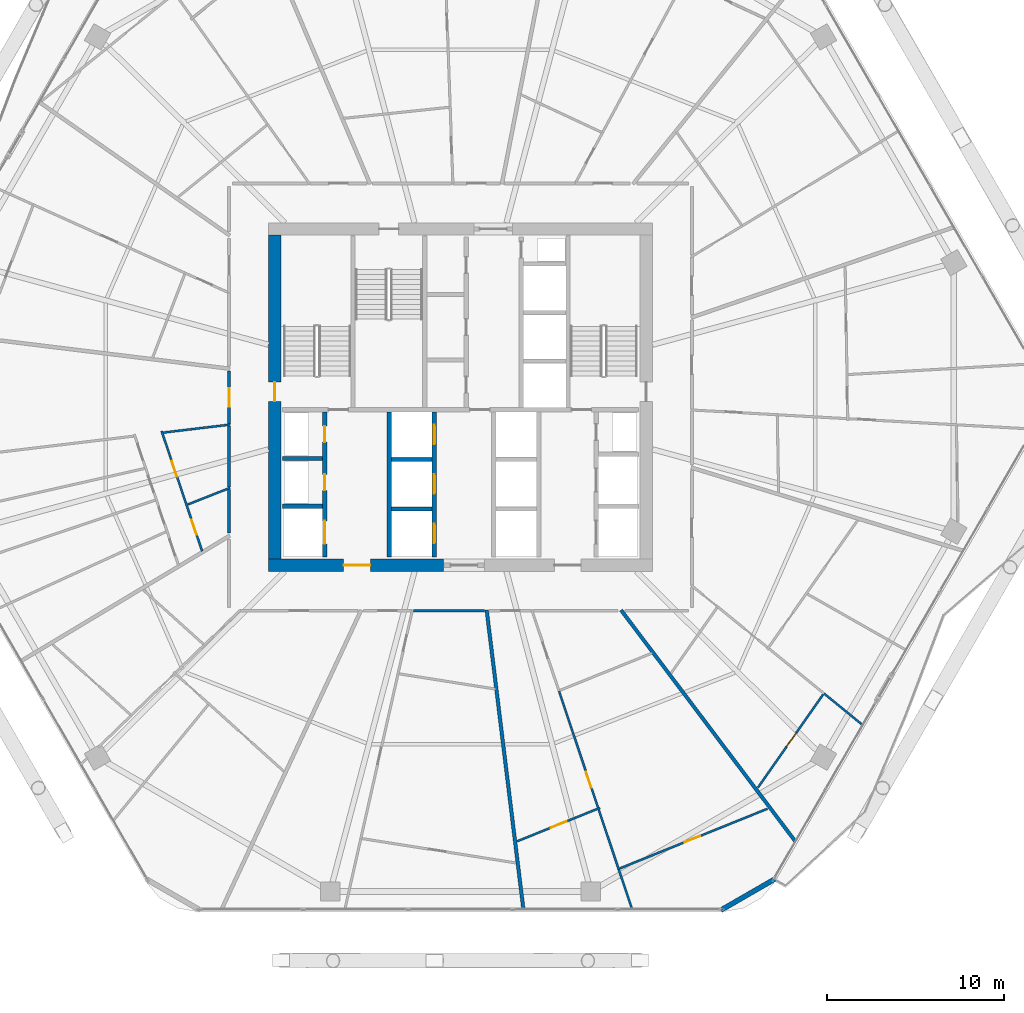
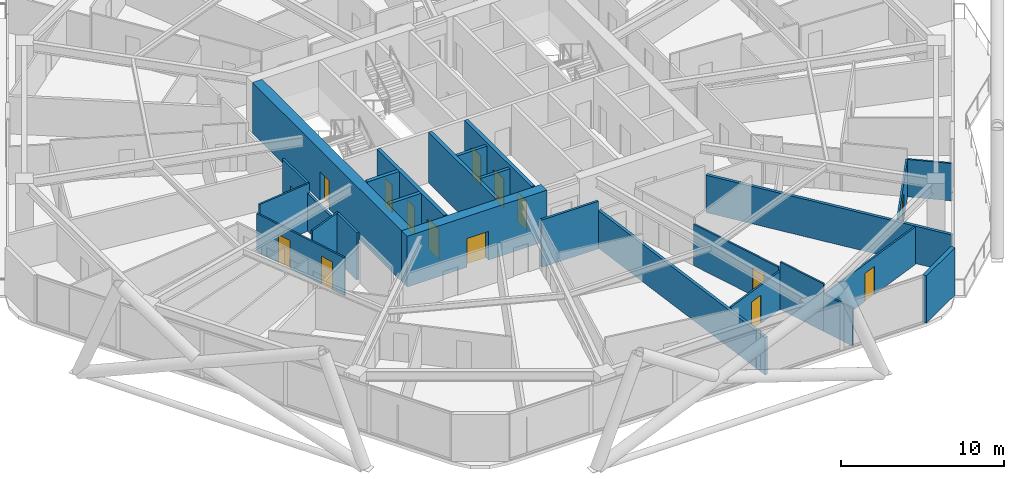
# One storey, part 30 of 36: 26 walls, 15 doors, 15 openings.
"""IFC4 building model written with IfcOpenShell, lengths in metres."""

from ifc_helpers import new_model, si_unit, direction, frame, frame_2d, origin, place, context, subcontext, project, spatial, rectangle, extrude, material, layer, layer_set, type_object, element, fill, save


model = new_model("IFC4")

# Units and contexts
model_context = context("Model", 3, precision=1e-05, world=origin(), true_north=direction((0.0, 1.0)))
body_context = subcontext(model_context, "Body", "Model", "MODEL_VIEW")
ifc_project = project(units=[si_unit("LENGTHUNIT", "METRE"), si_unit("AREAUNIT", "SQUARE_METRE"), si_unit("VOLUMEUNIT", "CUBIC_METRE"), si_unit("PLANEANGLEUNIT", "RADIAN"), si_unit("MASSUNIT", "GRAM", prefix="KILO")], contexts=[model_context])

# Site, building, storey
site_placement = place(None, origin())
site = spatial("IfcSite", under=ifc_project, at=site_placement, CompositionType="ELEMENT")
building_placement = place(site_placement, origin())
building = spatial("IfcBuilding", under=site, at=building_placement, Name="Zuhravey Tower", CompositionType="ELEMENT")
storey_placement = place(building_placement, frame((0.0, 0.0, 107.60009765625)))
storey = spatial("IfcBuildingStorey", under=building, at=storey_placement, Name="L26", CompositionType="ELEMENT", Elevation=107.60009765625)

# Wall, opening, door
ifc_material_1 = material(Name="Concrete C60/75", Category="concrete")
ifc_layer_1 = layer(ifc_material_1, 0.699951171875)
ifc_layer_set_1 = layer_set([ifc_layer_1], Name="Concrete C60/75")
wall_type_1 = type_object("IfcWallType", Name="Core Shear Wall 700", PredefinedType="SHEAR", material=ifc_layer_set_1)
wall_1_placement = place(storey_placement, frame((25.14990234375, 22.5, 0.0), z_axis=(0.0, 0.0, 1.0), x_axis=(1.0, 0.0, 0.0)))
wall_1 = element("IfcWall", 1, at=wall_1_placement, inside=storey, type_object=wall_type_1, Name="L26 South-West Core Shear Wall CW70", PredefinedType="SHEAR", context=body_context, shape_type="SweptSolid", body=[
    extrude(rectangle(XDim=9.900146484375, YDim=0.699951171875, at=frame_2d((4.9501953125, 0.0))), origin(), (0.0, 0.0, 1.0), 3.7998046875),
])
opening_1_placement = place(wall_1_placement, frame((4.25, 0.0, 0.0)))
opening_1 = element("IfcOpeningElement", 2, at=opening_1_placement, cuts=wall_1, Name="Opening FFD1", PredefinedType="OPENING", context=body_context, shape_type="SweptSolid", body=[
    extrude(rectangle(XDim=1.5, YDim=2.14990234375, at=frame_2d((0.75, 1.074951171875))), frame((0.0, 0.362060546875, 0.0), z_axis=(0.0, -1.0, 0.0), x_axis=(1.0, 0.0, 0.0)), (0.0, 0.0, 1.0), 0.723876953125),
])
ifc_material_2 = material(Name="Galvanised fire-rated steel leaf", Category="steel")
door_type_1 = type_object("IfcDoorType", Name="Firefighting Lobby Double Door 1500x2150", OperationType="DOUBLE_DOOR_SINGLE_SWING", PredefinedType="DOOR", material=ifc_material_2)
door_1_placement = place(opening_1_placement, origin())
door_1 = element("IfcDoor", 3, at=door_1_placement, inside=storey, type_object=door_type_1, Name="L26 Firefighting Lobby West Door", OperationType="DOUBLE_DOOR_SINGLE_SWING", OverallHeight=2.14990234375, OverallWidth=1.5, PredefinedType="DOOR", context=body_context, shape_type="SweptSolid", body=[
    extrude(rectangle(XDim=1.5, YDim=2.14990234375, at=frame_2d((0.75, 1.074951171875))), frame((0.0, 0.02490234375, 0.0), z_axis=(0.0, -1.0, 0.0), x_axis=(1.0, 0.0, 0.0)), (0.0, 0.0, 1.0), 0.050048828125),
])
fill(opening_1, door_1)

wall_2_placement = place(storey_placement, frame((25.5, 22.85009765625, 0.0), z_axis=(0.0, 0.0, 1.0), x_axis=(0.0, 1.0, 0.0)))
wall_2 = element("IfcWall", 4, at=wall_2_placement, inside=storey, type_object=wall_type_1, Name="L26 West Core Shear Wall CW70", PredefinedType="SHEAR", context=body_context, shape_type="SweptSolid", body=[
    extrude(rectangle(XDim=18.2998046875, YDim=0.699951171875, at=frame_2d((9.14990234375, 0.0))), origin(), (0.0, 0.0, 1.0), 3.7998046875),
])
opening_2_placement = place(wall_2_placement, frame((8.89990234375, 0.0, 0.0)))
opening_2 = element("IfcOpeningElement", 5, at=opening_2_placement, cuts=wall_2, Name="Opening STD1", PredefinedType="OPENING", context=body_context, shape_type="SweptSolid", body=[
    extrude(rectangle(XDim=1.10009765625, YDim=2.14990234375, at=frame_2d((0.550048828125, 1.074951171875))), frame((0.0, 0.362060546875, 0.0), z_axis=(0.0, -1.0, 0.0), x_axis=(1.0, 0.0, 0.0)), (0.0, 0.0, 1.0), 0.723876953125),
])
door_type_2 = type_object("IfcDoorType", Name="Protected Stair Fire Door 1100x2150", OperationType="NOTDEFINED", PredefinedType="USERDEFINED", material=ifc_material_2)
door_2_placement = place(opening_2_placement, frame((1.10009765625, 0.0, 0.0), z_axis=(0.0, 0.0, 1.0), x_axis=(-1.0, 0.0, 0.0)))
door_2 = element("IfcDoor", 6, at=door_2_placement, inside=storey, type_object=door_type_2, Name="L26 Stair ST1 Door", ObjectType="EXITDOOR", OperationType="SINGLE_SWING_RIGHT", OverallHeight=2.14990234375, OverallWidth=1.10009765625, PredefinedType="USERDEFINED", context=body_context, shape_type="SweptSolid", body=[
    extrude(rectangle(XDim=1.10009765625, YDim=2.14990234375, at=frame_2d((0.550048828125, 1.074951171875))), frame((0.0, 0.02490234375, 0.0), z_axis=(0.0, -1.0, 0.0), x_axis=(1.0, 0.0, 0.0)), (0.0, 0.0, 1.0), 0.050048828125),
])
fill(opening_2, door_2)

ifc_material_3 = material(Name="Gypsum fire-rated stud partition")
ifc_layer_2 = layer(ifc_material_3, 0.159912109375)
ifc_layer_set_2 = layer_set([ifc_layer_2], Name="Gypsum fire-rated stud partition")
wall_type_2 = type_object("IfcWallType", Name="Corridor Fire Partition 160", PredefinedType="PARTITIONING", material=ifc_layer_set_2)
wall_3_placement = place(storey_placement, frame((22.919921875, 33.47021484375, 0.0), z_axis=(0.0, 0.0, 1.0), x_axis=(0.0, -1.0, 0.0)))
wall_3 = element("IfcWall", 7, at=wall_3_placement, inside=storey, type_object=wall_type_2, Name="L26 IW16 Partition 046", PredefinedType="PARTITIONING", context=body_context, shape_type="SweptSolid", body=[
    extrude(rectangle(XDim=3.014404296875, YDim=0.159912109375, at=frame_2d((1.50732421875, 0.0))), origin(), (0.0, 0.0, 1.0), 3.5498046875),
])
opening_3_placement = place(wall_3_placement, frame((0.982177734375, 0.0, 0.0)))
opening_3 = element("IfcOpeningElement", 8, at=opening_3_placement, cuts=wall_3, Name="Opening APD1", PredefinedType="OPENING", context=body_context, shape_type="SweptSolid", body=[
    extrude(rectangle(XDim=1.050048828125, YDim=2.14990234375, at=frame_2d((0.52490234375, 1.074951171875))), frame((0.0, 0.092041015625, 0.0), z_axis=(0.0, -1.0, 0.0), x_axis=(1.0, 0.0, 0.0)), (0.0, 0.0, 1.0), 0.183837890625),
])
ifc_material_4 = material(Name="Solid-core oak fire-rated leaf")
door_type_3 = type_object("IfcDoorType", Name="Apartment Entrance Fire Door 1050x2150", OperationType="NOTDEFINED", PredefinedType="DOOR", material=ifc_material_4)
door_3_placement = place(opening_3_placement, frame((1.050048828125, 0.0, 0.0), z_axis=(0.0, 0.0, 1.0), x_axis=(-1.0, 0.0, 0.0)))
door_3 = element("IfcDoor", 9, at=door_3_placement, inside=storey, type_object=door_type_3, Name="L26 Door 046.1", OperationType="SINGLE_SWING_RIGHT", OverallHeight=2.14990234375, OverallWidth=1.050048828125, PredefinedType="DOOR", context=body_context, shape_type="SweptSolid", body=[
    extrude(rectangle(XDim=1.050048828125, YDim=2.14990234375, at=frame_2d((0.52490234375, 1.074951171875))), frame((0.0, 0.02490234375, 0.0), z_axis=(0.0, -1.0, 0.0), x_axis=(1.0, 0.0, 0.0)), (0.0, 0.0, 1.0), 0.050048828125),
])
fill(opening_3, door_3)

# Walls
wall_4_placement = place(storey_placement, frame((22.919921875, 30.3671875, 0.0), z_axis=(0.0, 0.0, 1.0), x_axis=(0.0, -1.0, 0.0)))
element("IfcWall", 10, at=wall_4_placement, inside=storey, type_object=wall_type_2, Name="L26 IW16 Partition 144", PredefinedType="PARTITIONING", context=body_context, shape_type="SweptSolid", body=[
    extrude(rectangle(XDim=3.44677734375, YDim=0.159912109375, at=frame_2d((1.723388671875, 0.0))), origin(), (0.0, 0.0, 1.0), 2.849853515625),
])
wall_5_placement = place(storey_placement, frame((22.919921875, 26.774169921875, 0.0), z_axis=(0.0, 0.0, 1.0), x_axis=(0.0, -1.0, 0.0)))
element("IfcWall", 11, at=wall_5_placement, inside=storey, type_object=wall_type_2, Name="L26 IW16 Partition 145", PredefinedType="PARTITIONING", context=body_context, shape_type="SweptSolid", body=[
    extrude(rectangle(XDim=2.45556640625, YDim=0.159912109375, at=frame_2d((1.227783203125, 0.0))), origin(), (0.0, 0.0, 1.0), 3.5498046875),
])
wall_6_placement = place(storey_placement, frame((33.343017578125, 19.919921875, 0.0), z_axis=(0.0, 0.0, 1.0), x_axis=(1.0, 0.0, 0.0)))
element("IfcWall", 12, at=wall_6_placement, inside=storey, type_object=wall_type_2, Name="L26 IW16 Partition 147", PredefinedType="PARTITIONING", context=body_context, shape_type="SweptSolid", body=[
    extrude(rectangle(XDim=4.01318359375, YDim=0.159912109375, at=frame_2d((2.006591796875, 0.0))), origin(), (0.0, 0.0, 1.0), 3.5498046875),
])
ifc_material_5 = material(Name="Precast concrete C40/50", Category="concrete")
ifc_layer_3 = layer(ifc_material_5, 0.280029296875)
ifc_layer_set_3 = layer_set([ifc_layer_3], Name="Precast concrete C40/50")
wall_type_3 = type_object("IfcWallType", Name="Crown Architectural Wall 280", PredefinedType="SOLIDWALL", material=ifc_layer_set_3)
wall_7_placement = place(storey_placement, frame((53.76123046875, 4.75146484375, 0.0), z_axis=(0.0, 0.0, 1.0), x_axis=(-0.866007452331, -0.500031091541, 0.0)))
element("IfcWall", 13, at=wall_7_placement, inside=storey, type_object=wall_type_3, Name="L26 Rounded Corner Closure Wall EW28-02", PredefinedType="SOLIDWALL", context=body_context, shape_type="SweptSolid", body=[
    extrude(rectangle(XDim=3.514892578125, YDim=0.280029296875, at=frame_2d((1.75732421875, 0.0))), origin(), (0.0, 0.0, 1.0), 3.5498046875),
])
ifc_material_6 = material(Name="Concrete C50/60", Category="concrete")
ifc_layer_4 = layer(ifc_material_6, 0.25)
ifc_layer_set_4 = layer_set([ifc_layer_4], Name="Concrete C50/60")
wall_type_4 = type_object("IfcWallType", Name="Firefighting Shaft & Stair Wall 250", PredefinedType="SOLIDWALL", material=ifc_layer_set_4)
for number, where, z_axis, x_axis, name in (
    (14, (25.949951171875, 25.824951171875, 0.0), (0.0, 0.0, 1.0), (1.0, 0.0, 0.0), "L26 FW25 Shaft Wall 009"),
    (15, (25.949951171875, 28.52490234375, 0.0), (0.0, 0.0, 1.0), (1.0, 0.0, 0.0), "L26 FW25 Shaft Wall 010"),
):
    element("IfcWall", number, at=place(storey_placement, frame(where, z_axis=z_axis, x_axis=x_axis)), inside=storey, type_object=wall_type_4, Name=name, PredefinedType="SOLIDWALL", context=body_context, shape_type="SweptSolid", body=[
        extrude(rectangle(XDim=2.25, YDim=0.25, at=frame_2d((1.125, 0.0))), origin(), (0.0, 0.0, 1.0), 3.7998046875),
    ])

# Wall, openings, doors
wall_8_placement = place(storey_placement, frame((28.324951171875, 22.949951171875, 0.0), z_axis=(0.0, 0.0, 1.0), x_axis=(0.0, 1.0, 0.0)))
wall_8 = element("IfcWall", 16, at=wall_8_placement, inside=storey, type_object=wall_type_4, Name="L26 FW25 Shaft Wall 011", PredefinedType="SOLIDWALL", context=body_context, shape_type="SweptSolid", body=[
    extrude(rectangle(XDim=8.199951171875, YDim=0.25, at=frame_2d((4.10009765625, 0.0))), origin(), (0.0, 0.0, 1.0), 3.7998046875),
])
opening_4_placement = place(wall_8_placement, frame((0.75, 0.0, 0.0)))
opening_4 = element("IfcOpeningElement", 17, at=opening_4_placement, cuts=wall_8, Name="Opening LD2", PredefinedType="OPENING", context=body_context, shape_type="SweptSolid", body=[
    extrude(rectangle(XDim=1.300048828125, YDim=2.300048828125, at=frame_2d((0.64990234375, 1.14990234375))), frame((0.0, 0.136962890625, 0.0), z_axis=(0.0, -1.0, 0.0), x_axis=(1.0, 0.0, 0.0)), (0.0, 0.0, 1.0), 0.27392578125),
])
opening_5_placement = place(wall_8_placement, frame((3.780029296875, 0.0, 0.0)))
opening_5 = element("IfcOpeningElement", 18, at=opening_5_placement, cuts=wall_8, Name="Opening RSD1", PredefinedType="OPENING", context=body_context, shape_type="SweptSolid", body=[
    extrude(rectangle(XDim=0.89990234375, YDim=2.10009765625, at=frame_2d((0.449951171875, 1.050048828125))), frame((0.0, 0.136962890625, 0.0), z_axis=(0.0, -1.0, 0.0), x_axis=(1.0, 0.0, 0.0)), (0.0, 0.0, 1.0), 0.27392578125),
])
opening_6_placement = place(wall_8_placement, frame((6.5, 0.0, 0.0)))
opening_6 = element("IfcOpeningElement", 19, at=opening_6_placement, cuts=wall_8, Name="Opening RSD1", PredefinedType="OPENING", context=body_context, shape_type="SweptSolid", body=[
    extrude(rectangle(XDim=0.89990234375, YDim=2.10009765625, at=frame_2d((0.449951171875, 1.050048828125))), frame((0.0, 0.136962890625, 0.0), z_axis=(0.0, -1.0, 0.0), x_axis=(1.0, 0.0, 0.0)), (0.0, 0.0, 1.0), 0.27392578125),
])
ifc_material_7 = material(Name="Brushed stainless steel", Category="steel")
door_type_4 = type_object("IfcDoorType", Name="Freight & Stretcher Lift Sliding Door 1300x2300", OperationType="DOUBLE_DOOR_SLIDING", PredefinedType="DOOR", material=ifc_material_7)
door_4_placement = place(opening_4_placement, frame((1.300048828125, 0.0, 0.0), z_axis=(0.0, 0.0, 1.0), x_axis=(-1.0, 0.0, 0.0)))
door_4 = element("IfcDoor", 20, at=door_4_placement, inside=storey, type_object=door_type_4, Name="L26 Lift FF1 Landing Door", OperationType="DOUBLE_DOOR_SLIDING", OverallHeight=2.300048828125, OverallWidth=1.300048828125, PredefinedType="DOOR", context=body_context, shape_type="SweptSolid", body=[
    extrude(rectangle(XDim=1.300048828125, YDim=2.300048828125, at=frame_2d((0.64990234375, 1.14990234375))), frame((0.0, 0.02490234375, 0.0), z_axis=(0.0, -1.0, 0.0), x_axis=(1.0, 0.0, 0.0)), (0.0, 0.0, 1.0), 0.050048828125),
])
fill(opening_4, door_4)
ifc_material_8 = material(Name="Galvanised fire-rated steel access leaf", Category="steel")
door_type_5 = type_object("IfcDoorType", Name="Riser & Shaft Access Fire Door 900x2100", OperationType="NOTDEFINED", PredefinedType="DOOR", material=ifc_material_8)
door_5_placement = place(opening_5_placement, frame((0.89990234375, 0.0, 0.0), z_axis=(0.0, 0.0, 1.0), x_axis=(-1.0, 0.0, 0.0)))
door_5 = element("IfcDoor", 21, at=door_5_placement, inside=storey, type_object=door_type_5, Name="L26 Electrical Riser Door", OperationType="SINGLE_SWING_RIGHT", OverallHeight=2.10009765625, OverallWidth=0.89990234375, PredefinedType="DOOR", context=body_context, shape_type="SweptSolid", body=[
    extrude(rectangle(XDim=0.89990234375, YDim=2.10009765625, at=frame_2d((0.449951171875, 1.050048828125))), frame((0.0, 0.02490234375, 0.0), z_axis=(0.0, -1.0, 0.0), x_axis=(1.0, 0.0, 0.0)), (0.0, 0.0, 1.0), 0.050048828125),
])
fill(opening_5, door_5)
door_6_placement = place(opening_6_placement, frame((0.89990234375, 0.0, 0.0), z_axis=(0.0, 0.0, 1.0), x_axis=(-1.0, 0.0, 0.0)))
door_6 = element("IfcDoor", 22, at=door_6_placement, inside=storey, type_object=door_type_5, Name="L26 Smoke Shaft Access Door", OperationType="SINGLE_SWING_LEFT", OverallHeight=2.10009765625, OverallWidth=0.89990234375, PredefinedType="DOOR", context=body_context, shape_type="SweptSolid", body=[
    extrude(rectangle(XDim=0.89990234375, YDim=2.10009765625, at=frame_2d((0.449951171875, 1.050048828125))), frame((0.0, 0.02490234375, 0.0), z_axis=(0.0, -1.0, 0.0), x_axis=(1.0, 0.0, 0.0)), (0.0, 0.0, 1.0), 0.050048828125),
])
fill(opening_6, door_6)

# Wall
wall_9_placement = place(storey_placement, frame((31.97509765625, 22.949951171875, 0.0), z_axis=(0.0, 0.0, 1.0), x_axis=(0.0, 1.0, 0.0)))
element("IfcWall", 23, at=wall_9_placement, inside=storey, type_object=wall_type_4, Name="L26 FW25 Shaft Wall 012", PredefinedType="SOLIDWALL", context=body_context, shape_type="SweptSolid", body=[
    extrude(rectangle(XDim=8.199951171875, YDim=0.25, at=frame_2d((4.10009765625, 0.0))), origin(), (0.0, 0.0, 1.0), 3.7998046875),
])

# Wall, openings, doors
wall_10_placement = place(storey_placement, frame((34.52490234375, 22.949951171875, 0.0), z_axis=(0.0, 0.0, 1.0), x_axis=(0.0, 1.0, 0.0)))
wall_10 = element("IfcWall", 24, at=wall_10_placement, inside=storey, type_object=wall_type_4, Name="L26 FW25 Shaft Wall 013", PredefinedType="SOLIDWALL", context=body_context, shape_type="SweptSolid", body=[
    extrude(rectangle(XDim=8.199951171875, YDim=0.25, at=frame_2d((4.10009765625, 0.0))), origin(), (0.0, 0.0, 1.0), 3.7998046875),
])
opening_7_placement = place(wall_10_placement, frame((0.77490234375, 0.0, 0.0)))
opening_7 = element("IfcOpeningElement", 25, at=opening_7_placement, cuts=wall_10, Name="Opening LD1", PredefinedType="OPENING", context=body_context, shape_type="SweptSolid", body=[
    extrude(rectangle(XDim=1.10009765625, YDim=2.199951171875, at=frame_2d((0.550048828125, 1.10009765625))), frame((0.0, 0.136962890625, 0.0), z_axis=(0.0, -1.0, 0.0), x_axis=(1.0, 0.0, 0.0)), (0.0, 0.0, 1.0), 0.27392578125),
])
opening_8_placement = place(wall_10_placement, frame((3.574951171875, 0.0, 0.0)))
opening_8 = element("IfcOpeningElement", 26, at=opening_8_placement, cuts=wall_10, Name="Opening LD1", PredefinedType="OPENING", context=body_context, shape_type="SweptSolid", body=[
    extrude(rectangle(XDim=1.10009765625, YDim=2.199951171875, at=frame_2d((0.550048828125, 1.10009765625))), frame((0.0, 0.136962890625, 0.0), z_axis=(0.0, -1.0, 0.0), x_axis=(1.0, 0.0, 0.0)), (0.0, 0.0, 1.0), 0.27392578125),
])
opening_9_placement = place(wall_10_placement, frame((6.375, 0.0, 0.0)))
opening_9 = element("IfcOpeningElement", 27, at=opening_9_placement, cuts=wall_10, Name="Opening LD1", PredefinedType="OPENING", context=body_context, shape_type="SweptSolid", body=[
    extrude(rectangle(XDim=1.10009765625, YDim=2.199951171875, at=frame_2d((0.550048828125, 1.10009765625))), frame((0.0, 0.136962890625, 0.0), z_axis=(0.0, -1.0, 0.0), x_axis=(1.0, 0.0, 0.0)), (0.0, 0.0, 1.0), 0.27392578125),
])
door_type_6 = type_object("IfcDoorType", Name="Lift Landing Sliding Door 1100x2200", OperationType="DOUBLE_DOOR_SLIDING", PredefinedType="DOOR", material=ifc_material_7)
door_7_placement = place(opening_7_placement, frame((1.10009765625, 0.0, 0.0), z_axis=(0.0, 0.0, 1.0), x_axis=(-1.0, 0.0, 0.0)))
door_7 = element("IfcDoor", 28, at=door_7_placement, inside=storey, type_object=door_type_6, Name="L26 Lift PL1 Landing Door", OperationType="DOUBLE_DOOR_SLIDING", OverallHeight=2.199951171875, OverallWidth=1.10009765625, PredefinedType="DOOR", context=body_context, shape_type="SweptSolid", body=[
    extrude(rectangle(XDim=1.10009765625, YDim=2.199951171875, at=frame_2d((0.550048828125, 1.10009765625))), frame((0.0, 0.02490234375, 0.0), z_axis=(0.0, -1.0, 0.0), x_axis=(1.0, 0.0, 0.0)), (0.0, 0.0, 1.0), 0.050048828125),
])
fill(opening_7, door_7)
door_8_placement = place(opening_8_placement, frame((1.10009765625, 0.0, 0.0), z_axis=(0.0, 0.0, 1.0), x_axis=(-1.0, 0.0, 0.0)))
door_8 = element("IfcDoor", 29, at=door_8_placement, inside=storey, type_object=door_type_6, Name="L26 Lift PL2 Landing Door", OperationType="DOUBLE_DOOR_SLIDING", OverallHeight=2.199951171875, OverallWidth=1.10009765625, PredefinedType="DOOR", context=body_context, shape_type="SweptSolid", body=[
    extrude(rectangle(XDim=1.10009765625, YDim=2.199951171875, at=frame_2d((0.550048828125, 1.10009765625))), frame((0.0, 0.02490234375, 0.0), z_axis=(0.0, -1.0, 0.0), x_axis=(1.0, 0.0, 0.0)), (0.0, 0.0, 1.0), 0.050048828125),
])
fill(opening_8, door_8)
door_9_placement = place(opening_9_placement, frame((1.10009765625, 0.0, 0.0), z_axis=(0.0, 0.0, 1.0), x_axis=(-1.0, 0.0, 0.0)))
door_9 = element("IfcDoor", 30, at=door_9_placement, inside=storey, type_object=door_type_6, Name="L26 Lift PL3 Landing Door", OperationType="DOUBLE_DOOR_SLIDING", OverallHeight=2.199951171875, OverallWidth=1.10009765625, PredefinedType="DOOR", context=body_context, shape_type="SweptSolid", body=[
    extrude(rectangle(XDim=1.10009765625, YDim=2.199951171875, at=frame_2d((0.550048828125, 1.10009765625))), frame((0.0, 0.02490234375, 0.0), z_axis=(0.0, -1.0, 0.0), x_axis=(1.0, 0.0, 0.0)), (0.0, 0.0, 1.0), 0.050048828125),
])
fill(opening_9, door_9)

# Walls
ifc_material_9 = material(Name="Gypsum double-stud party assembly")
ifc_layer_5 = layer(ifc_material_9, 0.199951171875)
ifc_layer_set_5 = layer_set([ifc_layer_5], Name="Gypsum double-stud party assembly")
wall_type_5 = type_object("IfcWallType", Name="Inter-Tenancy Party Wall 200", PredefinedType="PARTITIONING", material=ifc_layer_set_5)
wall_11_placement = place(storey_placement, frame((37.478271484375, 19.9599609375, 0.0), z_axis=(0.0, 0.0, 1.0), x_axis=(0.121873230726, -0.992545674331, 0.0)))
element("IfcWall", 31, at=wall_11_placement, inside=storey, type_object=wall_type_5, Name="L26 IW20 Partition 123", PredefinedType="PARTITIONING", context=body_context, shape_type="SweptSolid", body=[
    extrude(rectangle(XDim=17.04541015625, YDim=0.199951171875, at=frame_2d((8.522705078125, 0.0))), origin(), (0.0, 0.0, 1.0), 2.7998046875),
])
wall_12_placement = place(storey_placement, frame((45.07275390625, 19.9599609375, 0.0), z_axis=(0.0, 0.0, 1.0), x_axis=(0.60181525353, -0.798635336445, 0.0)))
element("IfcWall", 32, at=wall_12_placement, inside=storey, type_object=wall_type_5, Name="L26 IW20 Partition 127", PredefinedType="PARTITIONING", context=body_context, shape_type="SweptSolid", body=[
    extrude(rectangle(XDim=16.383544921875, YDim=0.199951171875, at=frame_2d((8.19189453125, 0.0))), origin(), (0.0, 0.0, 1.0), 2.7998046875),
])
ifc_material_10 = material(Name="Gypsum acoustic stud assembly")
ifc_layer_6 = layer(ifc_material_10, 0.219970703125)
ifc_layer_set_6 = layer_set([ifc_layer_6], Name="Gypsum acoustic stud assembly")
wall_type_6 = type_object("IfcWallType", Name="School Acoustic Compartment Wall 220", PredefinedType="PARTITIONING", material=ifc_layer_set_6)
for number, where, z_axis, x_axis, name in (
    (33, (32.10791015625, 25.675048828125, 0.0), (0.0, 0.0, 1.0), (1.0, 0.0, 0.0), "L26 IW22 Partition 080"),
    (34, (32.10791015625, 28.47509765625, 0.0), (0.0, 0.0, 1.0), (1.0, 0.0, 0.0), "L26 IW22 Partition 081"),
):
    element("IfcWall", number, at=place(storey_placement, frame(where, z_axis=z_axis, x_axis=x_axis)), inside=storey, type_object=wall_type_6, Name=name, PredefinedType="PARTITIONING", context=body_context, shape_type="SweptSolid", body=[
        extrude(rectangle(XDim=2.2841796875, YDim=0.219970703125, at=frame_2d((1.14208984375, 0.0))), origin(), (0.0, 0.0, 1.0), 3.5498046875),
    ])

# Wall, openings, doors
ifc_material_11 = material(Name="Gypsum metal-stud partition")
ifc_layer_7 = layer(ifc_material_11, 0.1201171875)
ifc_layer_set_7 = layer_set([ifc_layer_7], Name="Gypsum metal-stud partition")
wall_type_7 = type_object("IfcWallType", Name="Unit Internal Partition 120", PredefinedType="PARTITIONING", material=ifc_layer_set_7)
wall_13_placement = place(storey_placement, frame((19.102783203125, 30.079833984375, 0.0), z_axis=(0.0, 0.0, 1.0), x_axis=(0.319961945867, -0.947430394909, 0.0)))
wall_13 = element("IfcWall", 35, at=wall_13_placement, inside=storey, type_object=wall_type_7, Name="L26 IW12 Partition 044", PredefinedType="PARTITIONING", context=body_context, shape_type="SweptSolid", body=[
    extrude(rectangle(XDim=7.174072265625, YDim=0.1201171875, at=frame_2d((3.5869140625, 0.0))), origin(), (0.0, 0.0, 1.0), 2.849853515625),
])
opening_10_placement = place(wall_13_placement, frame((1.7822265625, 0.0, 0.0)))
opening_10 = element("IfcOpeningElement", 36, at=opening_10_placement, cuts=wall_13, Name="Opening IND1", PredefinedType="OPENING", context=body_context, shape_type="SweptSolid", body=[
    extrude(rectangle(XDim=0.949951171875, YDim=2.10009765625, at=frame_2d((0.47509765625, 1.050048828125))), frame((0.0, 0.072021484375, 0.0), z_axis=(0.0, -1.0, 0.0), x_axis=(1.0, 0.0, 0.0)), (0.0, 0.0, 1.0), 0.14404296875),
])
opening_11_placement = place(wall_13_placement, frame((5.2919921875, 0.0, 0.0)))
opening_11 = element("IfcOpeningElement", 37, at=opening_11_placement, cuts=wall_13, Name="Opening WCD1", PredefinedType="OPENING", context=body_context, shape_type="SweptSolid", body=[
    extrude(rectangle(XDim=0.89990234375, YDim=2.10009765625, at=frame_2d((0.449951171875, 1.050048828125))), frame((0.0, 0.072021484375, 0.0), z_axis=(0.0, -1.0, 0.0), x_axis=(1.0, 0.0, 0.0)), (0.0, 0.0, 1.0), 0.14404296875),
])
ifc_material_12 = material(Name="Moisture-resistant timber leaf", Category="wood")
door_type_7 = type_object("IfcDoorType", Name="Bathroom & WC Internal Door 900x2100", OperationType="NOTDEFINED", PredefinedType="DOOR", material=ifc_material_12)
door_10_placement = place(opening_11_placement, origin())
door_10 = element("IfcDoor", 38, at=door_10_placement, inside=storey, type_object=door_type_7, Name="Apartment L26-06 Bathroom Door", OperationType="SINGLE_SWING_LEFT", OverallHeight=2.10009765625, OverallWidth=0.89990234375, PredefinedType="DOOR", context=body_context, shape_type="SweptSolid", body=[
    extrude(rectangle(XDim=0.89990234375, YDim=2.10009765625, at=frame_2d((0.449951171875, 1.050048828125))), frame((0.0, 0.02490234375, 0.0), z_axis=(0.0, -1.0, 0.0), x_axis=(1.0, 0.0, 0.0)), (0.0, 0.0, 1.0), 0.050048828125),
])
fill(opening_11, door_10)
ifc_material_13 = material(Name="Painted engineered timber leaf", Category="wood")
door_type_8 = type_object("IfcDoorType", Name="Internal Room & Bedroom Door 950x2100", OperationType="NOTDEFINED", PredefinedType="DOOR", material=ifc_material_13)
door_11_placement = place(opening_10_placement, origin())
door_11 = element("IfcDoor", 39, at=door_11_placement, inside=storey, type_object=door_type_8, Name="Apartment L26-06 Kitchen Door", OperationType="SINGLE_SWING_RIGHT", OverallHeight=2.10009765625, OverallWidth=0.949951171875, PredefinedType="DOOR", context=body_context, shape_type="SweptSolid", body=[
    extrude(rectangle(XDim=0.949951171875, YDim=2.10009765625, at=frame_2d((0.47509765625, 1.050048828125))), frame((0.0, 0.02490234375, 0.0), z_axis=(0.0, -1.0, 0.0), x_axis=(1.0, 0.0, 0.0)), (0.0, 0.0, 1.0), 0.050048828125),
])
fill(opening_10, door_11)

# Wall, opening, door
wall_14_placement = place(storey_placement, frame((39.205078125, 6.888916015625, 0.0), z_axis=(0.0, 0.0, 1.0), x_axis=(0.927186587095, 0.3745998301, 0.0)))
wall_14 = element("IfcWall", 40, at=wall_14_placement, inside=storey, type_object=wall_type_7, Name="L26 IW12 Partition 057", PredefinedType="PARTITIONING", context=body_context, shape_type="SweptSolid", body=[
    extrude(rectangle(XDim=5.04638671875, YDim=0.1201171875, at=frame_2d((2.523193359375, 0.0))), origin(), (0.0, 0.0, 1.0), 2.849853515625),
])
opening_12_placement = place(wall_14_placement, frame((2.048095703125, 0.0, 0.0)))
opening_12 = element("IfcOpeningElement", 41, at=opening_12_placement, cuts=wall_14, Name="Opening IND1", PredefinedType="OPENING", context=body_context, shape_type="SweptSolid", body=[
    extrude(rectangle(XDim=0.949951171875, YDim=2.10009765625, at=frame_2d((0.47509765625, 1.050048828125))), frame((0.0, 0.072021484375, 0.0), z_axis=(0.0, -1.0, 0.0), x_axis=(1.0, 0.0, 0.0)), (0.0, 0.0, 1.0), 0.14404296875),
])
door_12_placement = place(opening_12_placement, frame((0.949951171875, 0.0, 0.0), z_axis=(0.0, 0.0, 1.0), x_axis=(-1.0, 0.0, 0.0)))
door_12 = element("IfcDoor", 42, at=door_12_placement, inside=storey, type_object=door_type_8, Name="Apartment L26-09 Family Study Door", OperationType="SINGLE_SWING_LEFT", OverallHeight=2.10009765625, OverallWidth=0.949951171875, PredefinedType="DOOR", context=body_context, shape_type="SweptSolid", body=[
    extrude(rectangle(XDim=0.949951171875, YDim=2.10009765625, at=frame_2d((0.47509765625, 1.050048828125))), frame((0.0, 0.02490234375, 0.0), z_axis=(0.0, -1.0, 0.0), x_axis=(1.0, 0.0, 0.0)), (0.0, 0.0, 1.0), 0.050048828125),
])
fill(opening_12, door_12)

wall_15_placement = place(storey_placement, frame((41.569580078125, 15.373291015625, 0.0), z_axis=(0.0, 0.0, 1.0), x_axis=(0.317623415575, -0.948216940303, 0.0)))
wall_15 = element("IfcWall", 43, at=wall_15_placement, inside=storey, type_object=wall_type_7, Name="L26 IW12 Partition 059", PredefinedType="PARTITIONING", context=body_context, shape_type="SweptSolid", body=[
    extrude(rectangle(XDim=6.925537109375, YDim=0.1201171875, at=frame_2d((3.462890625, 0.0))), origin(), (0.0, 0.0, 1.0), 3.099853515625),
])
opening_13_placement = place(wall_15_placement, frame((4.809814453125, 0.0, 0.0)))
opening_13 = element("IfcOpeningElement", 44, at=opening_13_placement, cuts=wall_15, Name="Opening IND1", PredefinedType="OPENING", context=body_context, shape_type="SweptSolid", body=[
    extrude(rectangle(XDim=0.949951171875, YDim=2.10009765625, at=frame_2d((0.47509765625, 1.050048828125))), frame((0.0, 0.072021484375, 0.0), z_axis=(0.0, -1.0, 0.0), x_axis=(1.0, 0.0, 0.0)), (0.0, 0.0, 1.0), 0.14404296875),
])
door_13_placement = place(opening_13_placement, origin())
door_13 = element("IfcDoor", 45, at=door_13_placement, inside=storey, type_object=door_type_8, Name="Apartment L26-09 Home Office Door", OperationType="SINGLE_SWING_LEFT", OverallHeight=2.10009765625, OverallWidth=0.949951171875, PredefinedType="DOOR", context=body_context, shape_type="SweptSolid", body=[
    extrude(rectangle(XDim=0.949951171875, YDim=2.10009765625, at=frame_2d((0.47509765625, 1.050048828125))), frame((0.0, 0.02490234375, 0.0), z_axis=(0.0, -1.0, 0.0), x_axis=(1.0, 0.0, 0.0)), (0.0, 0.0, 1.0), 0.050048828125),
])
fill(opening_13, door_13)

# Wall
wall_16_placement = place(storey_placement, frame((43.812744140625, 8.67724609375, 0.0), z_axis=(0.0, 0.0, 1.0), x_axis=(0.317627204672, -0.948215671065, 0.0)))
element("IfcWall", 46, at=wall_16_placement, inside=storey, type_object=wall_type_7, Name="L26 IW12 Partition 060", PredefinedType="PARTITIONING", context=body_context, shape_type="SweptSolid", body=[
    extrude(rectangle(XDim=3.55810546875, YDim=0.1201171875, at=frame_2d((1.779052734375, 0.0))), origin(), (0.0, 0.0, 1.0), 3.5498046875),
])

# Wall, opening, door
wall_17_placement = place(storey_placement, frame((44.998046875, 5.3525390625, 0.0), z_axis=(0.0, 0.0, 1.0), x_axis=(0.927180810677, 0.374614127221, 0.0)))
wall_17 = element("IfcWall", 47, at=wall_17_placement, inside=storey, type_object=wall_type_7, Name="L26 IW12 Partition 061", PredefinedType="PARTITIONING", context=body_context, shape_type="SweptSolid", body=[
    extrude(rectangle(XDim=9.004150390625, YDim=0.1201171875, at=frame_2d((4.501953125, 0.0))), origin(), (0.0, 0.0, 1.0), 2.7998046875),
])
opening_14_placement = place(wall_17_placement, frame((3.94287109375, 0.0, 0.0)))
opening_14 = element("IfcOpeningElement", 48, at=opening_14_placement, cuts=wall_17, Name="Opening IND1", PredefinedType="OPENING", context=body_context, shape_type="SweptSolid", body=[
    extrude(rectangle(XDim=0.949951171875, YDim=2.10009765625, at=frame_2d((0.47509765625, 1.050048828125))), frame((0.0, 0.072021484375, 0.0), z_axis=(0.0, -1.0, 0.0), x_axis=(1.0, 0.0, 0.0)), (0.0, 0.0, 1.0), 0.14404296875),
])
door_14_placement = place(opening_14_placement, frame((0.949951171875, 0.0, 0.0), z_axis=(0.0, 0.0, 1.0), x_axis=(-1.0, 0.0, 0.0)))
door_14 = element("IfcDoor", 49, at=door_14_placement, inside=storey, type_object=door_type_8, Name="Apartment L26-09 Kitchen Door", OperationType="SINGLE_SWING_RIGHT", OverallHeight=2.10009765625, OverallWidth=0.949951171875, PredefinedType="DOOR", context=body_context, shape_type="SweptSolid", body=[
    extrude(rectangle(XDim=0.949951171875, YDim=2.10009765625, at=frame_2d((0.47509765625, 1.050048828125))), frame((0.0, 0.02490234375, 0.0), z_axis=(0.0, -1.0, 0.0), x_axis=(1.0, 0.0, 0.0)), (0.0, 0.0, 1.0), 0.050048828125),
])
fill(opening_14, door_14)

wall_18_placement = place(storey_placement, frame((52.812255859375, 9.925537109375, 0.0), z_axis=(0.0, 0.0, 1.0), x_axis=(0.573569367982, 0.819156993569, 0.0)))
wall_18 = element("IfcWall", 50, at=wall_18_placement, inside=storey, type_object=wall_type_7, Name="L26 IW12 Partition 067", PredefinedType="PARTITIONING", context=body_context, shape_type="SweptSolid", body=[
    extrude(rectangle(XDim=6.429931640625, YDim=0.1201171875, at=frame_2d((3.21484375, 0.0))), origin(), (0.0, 0.0, 1.0), 2.849853515625),
])
opening_15_placement = place(wall_18_placement, frame((2.82421875, 0.0, 0.0)))
opening_15 = element("IfcOpeningElement", 51, at=opening_15_placement, cuts=wall_18, Name="Opening IND1", PredefinedType="OPENING", context=body_context, shape_type="SweptSolid", body=[
    extrude(rectangle(XDim=0.949951171875, YDim=2.10009765625, at=frame_2d((0.47509765625, 1.050048828125))), frame((0.0, 0.072021484375, 0.0), z_axis=(0.0, -1.0, 0.0), x_axis=(1.0, 0.0, 0.0)), (0.0, 0.0, 1.0), 0.14404296875),
])
door_15_placement = place(opening_15_placement, frame((0.949951171875, 0.0, 0.0), z_axis=(0.0, 0.0, 1.0), x_axis=(-1.0, 0.0, 0.0)))
door_15 = element("IfcDoor", 52, at=door_15_placement, inside=storey, type_object=door_type_8, Name="Apartment L26-10 Bedroom 1 Door", OperationType="SINGLE_SWING_RIGHT", OverallHeight=2.10009765625, OverallWidth=0.949951171875, PredefinedType="DOOR", context=body_context, shape_type="SweptSolid", body=[
    extrude(rectangle(XDim=0.949951171875, YDim=2.10009765625, at=frame_2d((0.47509765625, 1.050048828125))), frame((0.0, 0.02490234375, 0.0), z_axis=(0.0, -1.0, 0.0), x_axis=(1.0, 0.0, 0.0)), (0.0, 0.0, 1.0), 0.050048828125),
])
fill(opening_15, door_15)

# Walls
wall_19_placement = place(storey_placement, frame((22.969970703125, 26.866943359375, 0.0), z_axis=(0.0, 0.0, 1.0), x_axis=(-0.930402504974, -0.366539464095, 0.0)))
element("IfcWall", 53, at=wall_19_placement, inside=storey, type_object=wall_type_7, Name="L26 IW12 Partition 106", PredefinedType="PARTITIONING", context=body_context, shape_type="SweptSolid", body=[
    extrude(rectangle(XDim=2.571044921875, YDim=0.1201171875, at=frame_2d((1.28564453125, 0.0))), origin(), (0.0, 0.0, 1.0), 3.5498046875),
])
wall_20_placement = place(storey_placement, frame((22.9697265625, 30.441650390625, 0.0), z_axis=(0.0, 0.0, 1.0), x_axis=(-0.992919730028, -0.118787245617, 0.0)))
element("IfcWall", 54, at=wall_20_placement, inside=storey, type_object=wall_type_7, Name="L26 IW12 Partition 110", PredefinedType="PARTITIONING", context=body_context, shape_type="SweptSolid", body=[
    extrude(rectangle(XDim=3.7919921875, YDim=0.1201171875, at=frame_2d((1.89599609375, 0.0))), origin(), (0.0, 0.0, 1.0), 3.5498046875),
])
wall_21_placement = place(storey_placement, frame((44.94287109375, 5.303466796875, 0.0), z_axis=(0.0, 0.0, 1.0), x_axis=(0.317697926169, -0.948191978297, 0.0)))
element("IfcWall", 55, at=wall_21_placement, inside=storey, type_object=wall_type_7, Name="L26 IW12 Partition 125", PredefinedType="PARTITIONING", context=body_context, shape_type="SweptSolid", body=[
    extrude(rectangle(XDim=2.390625, YDim=0.1201171875, at=frame_2d((1.1953125, 0.0))), origin(), (0.0, 0.0, 1.0), 2.7998046875),
])
wall_22_placement = place(storey_placement, frame((56.558837890625, 15.232666015625, 0.0), z_axis=(0.0, 0.0, 1.0), x_axis=(0.774954560458, -0.632016953274, 0.0)))
element("IfcWall", 56, at=wall_22_placement, inside=storey, type_object=wall_type_7, Name="L26 IW12 Partition 130", PredefinedType="PARTITIONING", context=body_context, shape_type="SweptSolid", body=[
    extrude(rectangle(XDim=2.8115234375, YDim=0.1201171875, at=frame_2d((1.40576171875, 0.0))), origin(), (0.0, 0.0, 1.0), 2.7998046875),
])

save(model, "model.ifc")
